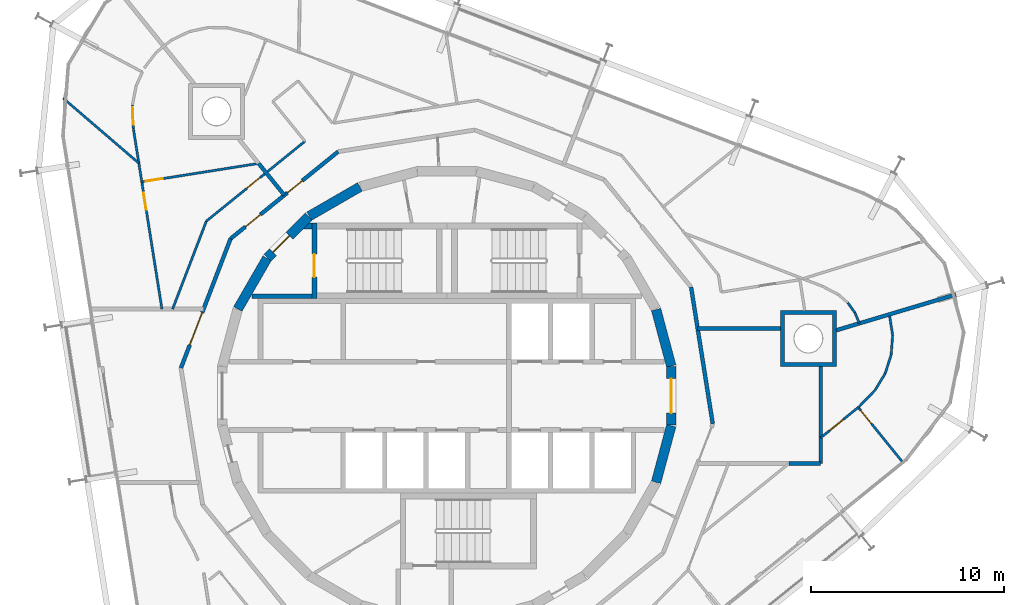
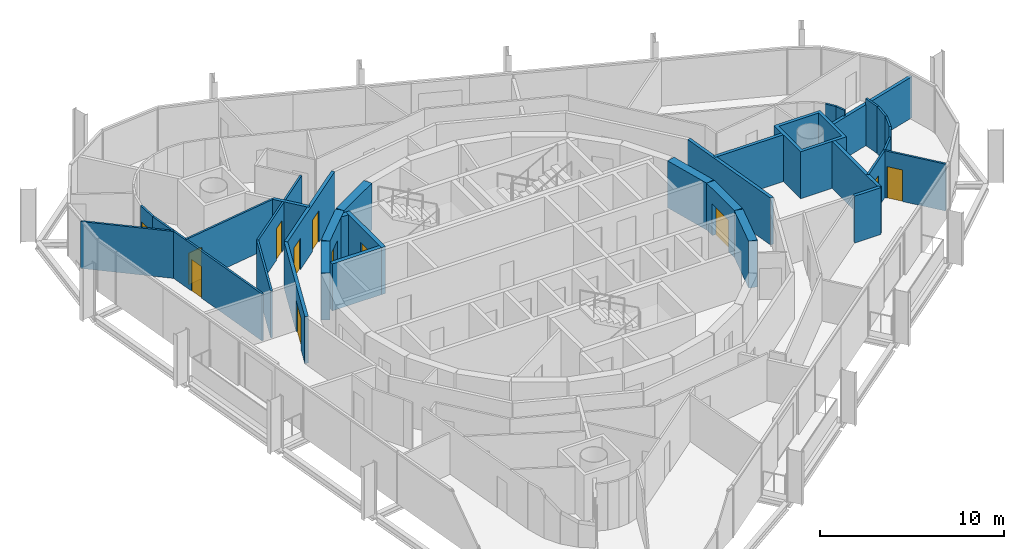
# One storey, part 14 of 17: 33 walls, 12 doors, 12 openings.
"""IFC4 building model written with IfcOpenShell, lengths in metres."""

from ifc_helpers import new_model, si_unit, direction, frame, frame_2d, origin, place, context, subcontext, project, spatial, polyline, rectangle, outline, extrude, material, layer, layer_set, type_object, element, fill, save


model = new_model("IFC4")

# Units and contexts
model_context = context("Model", 3, precision=1e-05, world=origin(), true_north=direction((0.0, 1.0)))
body_context = subcontext(model_context, "Body", "Model", "MODEL_VIEW")
ifc_project = project(units=[si_unit("LENGTHUNIT", "METRE"), si_unit("AREAUNIT", "SQUARE_METRE"), si_unit("VOLUMEUNIT", "CUBIC_METRE"), si_unit("PLANEANGLEUNIT", "RADIAN"), si_unit("MASSUNIT", "GRAM", prefix="KILO")], contexts=[model_context])

# Site, building, storey
site_placement = place(None, origin())
site = spatial("IfcSite", under=ifc_project, at=site_placement, CompositionType="ELEMENT")
building_placement = place(site_placement, origin())
building = spatial("IfcBuilding", under=site, at=building_placement, Name="Spindle Arch Residences", CompositionType="ELEMENT")
storey_placement = place(building_placement, frame((0.0, 0.0, 284.39990234375)))
storey = spatial("IfcBuildingStorey", under=building, at=storey_placement, Name="L73", CompositionType="ELEMENT", Elevation=284.39990234375)

# Wall
ifc_material_1 = material(Name="Concrete C50/60", Category="concrete")
ifc_layer_1 = layer(ifc_material_1, 0.5)
ifc_layer_set_1 = layer_set([ifc_layer_1], Name="Core outline wall 500")
wall_type_1 = type_object("IfcWallType", Name="Core outline wall 500", PredefinedType="SHEAR", material=ifc_layer_set_1)
wall_1_placement = place(storey_placement, frame((10.858154296875, -4.479248046875, 0.0), z_axis=(0.0, 0.0, 1.0), x_axis=(0.258734743916, 0.965948410781, 0.0)))
element("IfcWall", 1, at=wall_1_placement, inside=storey, type_object=wall_type_1, Name="Core outline wall 5", PredefinedType="SHEAR", context=body_context, shape_type="SweptSolid", body=[
    extrude(rectangle(XDim=3.03271484375, YDim=0.5, at=frame_2d((1.516357421875, 0.0))), origin(), (0.0, 0.0, 1.0), 3.1201171875),
])

# Wall, opening, door
wall_2_placement = place(storey_placement, frame((11.647216796875, -1.516357421875, 0.0), z_axis=(0.0, 0.0, 1.0), x_axis=(0.0, 1.0, 0.0)))
wall_2 = element("IfcWall", 2, at=wall_2_placement, inside=storey, type_object=wall_type_1, Name="Core outline wall 6", PredefinedType="SHEAR", context=body_context, shape_type="SweptSolid", body=[
    extrude(rectangle(XDim=3.03271484375, YDim=0.5, at=frame_2d((1.516357421875, 0.0))), origin(), (0.0, 0.0, 1.0), 3.1201171875),
])
opening_1_placement = place(wall_2_placement, frame((0.6162109375, 0.0, 0.0)))
opening_1 = element("IfcOpeningElement", 3, at=opening_1_placement, cuts=wall_2, Name="Opening R7C0-FE01", PredefinedType="OPENING", context=body_context, shape_type="SweptSolid", body=[
    extrude(rectangle(XDim=1.800048828125, YDim=2.10009765625, at=frame_2d((0.89990234375, 1.050048828125))), frame((0.0, 0.260009765625, 0.0), z_axis=(0.0, -1.0, 0.0), x_axis=(1.0, 0.0, 0.0)), (0.0, 0.0, 1.0), 0.52001953125),
])
ifc_material_2 = material(Name="Steel, fire-resisting door", Category="steel")
door_type_1 = type_object("IfcDoorType", Name="Fire-lift lobby door 1800x2100", OperationType="DOUBLE_DOOR_SINGLE_SWING", PredefinedType="DOOR", material=ifc_material_2)
door_1_placement = place(opening_1_placement, origin())
door_1 = element("IfcDoor", 4, at=door_1_placement, inside=storey, type_object=door_type_1, Name="Fire-lift lobby door R7C0-FE01", OperationType="DOUBLE_DOOR_SINGLE_SWING", OverallHeight=2.10009765625, OverallWidth=1.800048828125, PredefinedType="DOOR", context=body_context, shape_type="SweptSolid", body=[
    extrude(rectangle(XDim=1.800048828125, YDim=2.10009765625, at=frame_2d((0.89990234375, 1.050048828125))), frame((0.0, 0.02490234375, 0.0), z_axis=(0.0, -1.0, 0.0), x_axis=(1.0, 0.0, 0.0)), (0.0, 0.0, 1.0), 0.050048828125),
])
fill(opening_1, door_1)

# Walls
for number, where, z_axis, x_axis, name in (
    (5, (11.642822265625, 1.5498046875, 0.0), (0.0, 0.0, 1.0), (-0.258734743916, 0.965948410781, 0.0), "Core outline wall 7"),
    (6, (-4.510498046875, 10.84521484375, 0.0), (0.0, 0.0, 1.0), (-0.865975092491, -0.500087131594, 0.0), "Core outline wall 14"),
):
    element("IfcWall", number, at=place(storey_placement, frame(where, z_axis=z_axis, x_axis=x_axis)), inside=storey, type_object=wall_type_1, Name=name, PredefinedType="SHEAR", context=body_context, shape_type="SweptSolid", body=[
        extrude(rectangle(XDim=3.03271484375, YDim=0.5, at=frame_2d((1.516357421875, 0.0))), origin(), (0.0, 0.0, 1.0), 3.1201171875),
    ])

# Wall, opening, door
wall_3_placement = place(storey_placement, frame((-7.163818359375, 9.30810546875, 0.0), z_axis=(0.0, 0.0, 1.0), x_axis=(-0.707106781187, -0.707106781187, 0.0)))
wall_3 = element("IfcWall", 7, at=wall_3_placement, inside=storey, type_object=wall_type_1, Name="Core outline wall 15", PredefinedType="SHEAR", context=body_context, shape_type="SweptSolid", body=[
    extrude(rectangle(XDim=3.032470703125, YDim=0.5, at=frame_2d((1.51611328125, 0.0))), origin(), (0.0, 0.0, 1.0), 3.1201171875),
])
opening_2_placement = place(wall_3_placement, frame((1.416259765625, 0.0, 0.0)))
opening_2 = element("IfcOpeningElement", 8, at=opening_2_placement, cuts=wall_3, Name="Opening R7C0-AD02", PredefinedType="OPENING", context=body_context, shape_type="SweptSolid", body=[
    extrude(rectangle(XDim=1.199951171875, YDim=2.10009765625, at=frame_2d((0.60009765625, 1.050048828125))), frame((0.0, 0.260009765625, 0.0), z_axis=(0.0, -1.0, 0.0), x_axis=(1.0, 0.0, 0.0)), (0.0, 0.0, 1.0), 0.52001953125),
])
ifc_material_3 = material(Name="Steel, fire-resisting door", Category="steel")
door_type_2 = type_object("IfcDoorType", Name="Stair airlock door 1200x2100", OperationType="SINGLE_SWING_LEFT", PredefinedType="DOOR", material=ifc_material_3)
door_2_placement = place(opening_2_placement, origin())
door_2 = element("IfcDoor", 9, at=door_2_placement, inside=storey, type_object=door_type_2, Name="Stair airlock door R7C0-AD02", OperationType="SINGLE_SWING_RIGHT", OverallHeight=2.10009765625, OverallWidth=1.199951171875, PredefinedType="DOOR", context=body_context, shape_type="SweptSolid", body=[
    extrude(rectangle(XDim=1.199951171875, YDim=2.10009765625, at=frame_2d((0.60009765625, 1.050048828125))), frame((0.0, 0.02490234375, 0.0), z_axis=(0.0, -1.0, 0.0), x_axis=(1.0, 0.0, 0.0)), (0.0, 0.0, 1.0), 0.050048828125),
])
fill(opening_2, door_2)

# Wall
wall_4_placement = place(storey_placement, frame((-9.32861328125, 7.13671875, 0.0), z_axis=(0.0, 0.0, 1.0), x_axis=(-0.500087131594, -0.865975092491, 0.0)))
element("IfcWall", 10, at=wall_4_placement, inside=storey, type_object=wall_type_1, Name="Core outline wall 16", PredefinedType="SHEAR", context=body_context, shape_type="SweptSolid", body=[
    extrude(rectangle(XDim=3.03271484375, YDim=0.5, at=frame_2d((1.516357421875, 0.0))), origin(), (0.0, 0.0, 1.0), 3.1201171875),
])

# Wall, openings, doors
ifc_material_4 = material(Name="Calcium silicate block, plastered")
ifc_layer_2 = layer(ifc_material_4, 0.199951171875)
ifc_layer_set_2 = layer_set([ifc_layer_2], Name="Corridor wall 200")
wall_type_2 = type_object("IfcWallType", Name="Corridor wall 200", PredefinedType="STANDARD", material=ifc_layer_set_2)
wall_5_placement = place(storey_placement, frame((-5.642578125, 12.67333984375, 0.0), z_axis=(0.0, 0.0, 1.0), x_axis=(-0.777160148113, -0.629302871585, 0.0)))
wall_5 = element("IfcWall", 11, at=wall_5_placement, inside=storey, type_object=wall_type_2, Name="Corridor wall R7C0-W011", PredefinedType="STANDARD", context=body_context, shape_type="SweptSolid", body=[
    extrude(rectangle(XDim=7.180908203125, YDim=0.199951171875, at=frame_2d((3.59033203125, 0.0))), origin(), (0.0, 0.0, 1.0), 3.1201171875),
])
opening_3_placement = place(wall_5_placement, frame((2.390380859375, 0.0, 0.0)))
opening_3 = element("IfcOpeningElement", 12, at=opening_3_placement, cuts=wall_5, Name="Opening R7C0-FD02", PredefinedType="OPENING", context=body_context, shape_type="SweptSolid", body=[
    extrude(rectangle(XDim=1.0, YDim=2.10009765625, at=frame_2d((0.5, 1.050048828125))), frame((0.0, 0.10986328125, 0.0), z_axis=(0.0, -1.0, 0.0), x_axis=(1.0, 0.0, 0.0)), (0.0, 0.0, 1.0), 0.219970703125),
])
opening_4_placement = place(wall_5_placement, frame((5.1904296875, 0.0, 0.0)))
opening_4 = element("IfcOpeningElement", 13, at=opening_4_placement, cuts=wall_5, Name="Opening R7C0-FD03", PredefinedType="OPENING", context=body_context, shape_type="SweptSolid", body=[
    extrude(rectangle(XDim=1.0, YDim=2.10009765625, at=frame_2d((0.5, 1.050048828125))), frame((0.0, 0.10986328125, 0.0), z_axis=(0.0, -1.0, 0.0), x_axis=(1.0, 0.0, 0.0)), (0.0, 0.0, 1.0), 0.219970703125),
])
ifc_material_5 = material(Name="Timber, fire-resisting door set", Category="wood")
door_type_3 = type_object("IfcDoorType", Name="Flat entrance door 1000x2100", OperationType="NOTDEFINED", PredefinedType="DOOR", material=ifc_material_5)
door_3_placement = place(opening_3_placement, origin())
door_3 = element("IfcDoor", 14, at=door_3_placement, inside=storey, type_object=door_type_3, Name="Flat entrance door R7C0-FD02", OperationType="SINGLE_SWING_RIGHT", OverallHeight=2.10009765625, OverallWidth=1.0, PredefinedType="DOOR", context=body_context, shape_type="SweptSolid", body=[
    extrude(rectangle(XDim=1.0, YDim=2.10009765625, at=frame_2d((0.5, 1.050048828125))), frame((0.0, 0.02490234375, 0.0), z_axis=(0.0, -1.0, 0.0), x_axis=(1.0, 0.0, 0.0)), (0.0, 0.0, 1.0), 0.050048828125),
])
fill(opening_3, door_3)
door_4_placement = place(opening_4_placement, origin())
door_4 = element("IfcDoor", 15, at=door_4_placement, inside=storey, type_object=door_type_3, Name="Flat entrance door R7C0-FD03", OperationType="SINGLE_SWING_LEFT", OverallHeight=2.10009765625, OverallWidth=1.0, PredefinedType="DOOR", context=body_context, shape_type="SweptSolid", body=[
    extrude(rectangle(XDim=1.0, YDim=2.10009765625, at=frame_2d((0.5, 1.050048828125))), frame((0.0, 0.02490234375, 0.0), z_axis=(0.0, -1.0, 0.0), x_axis=(1.0, 0.0, 0.0)), (0.0, 0.0, 1.0), 0.050048828125),
])
fill(opening_4, door_4)

# Walls
ifc_material_6 = material(Name="Calcium silicate block, plastered")
ifc_layer_3 = layer(ifc_material_6, 0.199951171875)
ifc_layer_set_3 = layer_set([ifc_layer_3], Name="Fire-lift lobby bay wall 200")
wall_type_3 = type_object("IfcWallType", Name="Fire-lift lobby bay wall 200", PredefinedType="STANDARD", material=ifc_layer_set_3)
wall_6_placement = place(storey_placement, frame((13.796630859375, -1.4501953125, 0.0), z_axis=(0.0, 0.0, 1.0), x_axis=(-0.156421704315, 0.987690361611, 0.0)))
element("IfcWall", 16, at=wall_6_placement, inside=storey, type_object=wall_type_3, Name="Fire-lift lobby bay wall R7C0-W005", PredefinedType="STANDARD", context=body_context, shape_type="SweptSolid", body=[
    extrude(rectangle(XDim=7.18115234375, YDim=0.199951171875, at=frame_2d((3.590576171875, 0.0))), origin(), (0.0, 0.0, 1.0), 3.1201171875),
])
wall_7_placement = place(storey_placement, frame((17.309326171875, 3.5, 0.0), z_axis=(0.0, 0.0, 1.0), x_axis=(-1.0, 0.0, 0.0)))
element("IfcWall", 17, at=wall_7_placement, inside=storey, type_object=wall_type_3, Name="Fire-lift lobby bay wall R7C0-W018", PredefinedType="STANDARD", context=body_context, shape_type="SweptSolid", body=[
    extrude(rectangle(XDim=4.296630859375, YDim=0.199951171875, at=frame_2d((2.1484375, 0.0))), origin(), (0.0, 0.0, 1.0), 3.1201171875),
])
wall_8_placement = place(storey_placement, frame((19.39990234375, -3.5, 0.0), z_axis=(0.0, 0.0, 1.0), x_axis=(0.0, 1.0, 0.0)))
element("IfcWall", 18, at=wall_8_placement, inside=storey, type_object=wall_type_3, Name="Fire-lift lobby bay wall R7C0-W020", PredefinedType="STANDARD", context=body_context, shape_type="SweptSolid", body=[
    extrude(rectangle(XDim=5.021240234375, YDim=0.199951171875, at=frame_2d((2.5107421875, 0.0))), origin(), (0.0, 0.0, 1.0), 3.1201171875),
])
wall_9_placement = place(storey_placement, frame((17.759765625, -3.5, 0.0), z_axis=(0.0, 0.0, 1.0), x_axis=(1.0, 0.0, 0.0)))
element("IfcWall", 19, at=wall_9_placement, inside=storey, type_object=wall_type_3, Name="Fire-lift lobby bay wall R7C0-W021", PredefinedType="STANDARD", context=body_context, shape_type="SweptSolid", body=[
    extrude(rectangle(XDim=1.64013671875, YDim=0.199951171875, at=frame_2d((0.820068359375, 0.0))), origin(), (0.0, 0.0, 1.0), 3.1201171875),
])
ifc_material_7 = material(Name="Plasterboard on steel studs", Category="steel")
ifc_layer_4 = layer(ifc_material_7, 0.1201171875)
ifc_layer_set_4 = layer_set([ifc_layer_4], Name="Flat partition 120")
wall_type_4 = type_object("IfcWallType", Name="Flat partition 120", PredefinedType="PARTITIONING", material=ifc_layer_set_4)
wall_10_placement = place(storey_placement, frame((20.802978515625, 4.8330078125, 0.0), z_axis=(0.0, 0.0, 1.0), x_axis=(0.583322588112, -0.812240579014, 0.0)))
element("IfcWall", 20, at=wall_10_placement, inside=storey, type_object=wall_type_4, Name="Flat partition R7C0-W039", PredefinedType="PARTITIONING", context=body_context, shape_type="SweptSolid", body=[
    extrude(rectangle(XDim=0.64208984375, YDim=0.1201171875, at=frame_2d((0.321044921875, 0.0))), origin(), (0.0, 0.0, 1.0), 3.1201171875),
])
wall_11_placement = place(storey_placement, frame((21.177490234375, 4.3115234375, 0.0), z_axis=(0.0, 0.0, 1.0), x_axis=(0.379673715705, -0.925120462212, 0.0)))
element("IfcWall", 21, at=wall_11_placement, inside=storey, type_object=wall_type_4, Name="Flat partition R7C0-W040", PredefinedType="PARTITIONING", context=body_context, shape_type="SweptSolid", body=[
    extrude(rectangle(XDim=0.593505859375, YDim=0.1201171875, at=frame_2d((0.296875, 0.0))), origin(), (0.0, 0.0, 1.0), 3.1201171875),
])

# Wall, opening, door
wall_12_placement = place(storey_placement, frame((-7.363037109375, 13.210205078125, 0.0), z_axis=(0.0, 0.0, 1.0), x_axis=(-0.777139504663, -0.629328364443, 0.0)))
wall_12 = element("IfcWall", 22, at=wall_12_placement, inside=storey, type_object=wall_type_4, Name="Flat partition R7C0-W047", PredefinedType="PARTITIONING", context=body_context, shape_type="SweptSolid", body=[
    extrude(rectangle(XDim=6.583740234375, YDim=0.1201171875, at=frame_2d((3.2919921875, 0.0))), origin(), (0.0, 0.0, 1.0), 3.1201171875),
])
opening_5_placement = place(wall_12_placement, frame((2.9912109375, 0.0, 0.0)))
opening_5 = element("IfcOpeningElement", 23, at=opening_5_placement, cuts=wall_12, Name="Opening R7C0-ID09", PredefinedType="OPENING", context=body_context, shape_type="SweptSolid", body=[
    extrude(rectangle(XDim=0.89990234375, YDim=2.10009765625, at=frame_2d((0.449951171875, 1.050048828125))), frame((0.0, 0.070068359375, 0.0), z_axis=(0.0, -1.0, 0.0), x_axis=(1.0, 0.0, 0.0)), (0.0, 0.0, 1.0), 0.14013671875),
])
ifc_material_8 = material(Name="Timber door set", Category="wood")
door_type_4 = type_object("IfcDoorType", Name="Room door 900x2100", OperationType="NOTDEFINED", PredefinedType="DOOR", material=ifc_material_8)
door_5_placement = place(opening_5_placement, origin())
door_5 = element("IfcDoor", 24, at=door_5_placement, inside=storey, type_object=door_type_4, Name="Room door R7C0-ID09", OperationType="SINGLE_SWING_LEFT", OverallHeight=2.10009765625, OverallWidth=0.89990234375, PredefinedType="DOOR", context=body_context, shape_type="SweptSolid", body=[
    extrude(rectangle(XDim=0.89990234375, YDim=2.10009765625, at=frame_2d((0.449951171875, 1.050048828125))), frame((0.0, 0.02490234375, 0.0), z_axis=(0.0, -1.0, 0.0), x_axis=(1.0, 0.0, 0.0)), (0.0, 0.0, 1.0), 0.050048828125),
])
fill(opening_5, door_5)

# Wall
wall_13_placement = place(storey_placement, frame((-12.4794921875, 9.06689453125, 0.0), z_axis=(0.0, 0.0, 1.0), x_axis=(-0.358387060848, -0.933573090131, 0.0)))
element("IfcWall", 25, at=wall_13_placement, inside=storey, type_object=wall_type_4, Name="Flat partition R7C0-W058", PredefinedType="PARTITIONING", context=body_context, shape_type="SweptSolid", body=[
    extrude(rectangle(XDim=4.891845703125, YDim=0.1201171875, at=frame_2d((2.44580078125, 0.0))), origin(), (0.0, 0.0, 1.0), 3.1201171875),
])

# Wall, opening, door
wall_14_placement = place(storey_placement, frame((-16.31591796875, 15.091064453125, 0.0), z_axis=(0.0, 0.0, 1.0), x_axis=(0.040786423131, -0.999167887639, 0.0)))
wall_14 = element("IfcWall", 26, at=wall_14_placement, inside=storey, type_object=wall_type_4, Name="Flat partition R7C0-W063", PredefinedType="PARTITIONING", context=body_context, shape_type="SweptSolid", body=[
    extrude(rectangle(XDim=1.22705078125, YDim=0.1201171875, at=frame_2d((0.613525390625, 0.0))), origin(), (0.0, 0.0, 1.0), 3.1201171875),
])
opening_6_placement = place(wall_14_placement, frame((0.1201171875, 0.0, 0.0)))
opening_6 = element("IfcOpeningElement", 27, at=opening_6_placement, cuts=wall_14, Name="Opening R7C0-ID11", PredefinedType="OPENING", context=body_context, shape_type="SweptSolid", body=[
    extrude(rectangle(XDim=0.89990234375, YDim=2.10009765625, at=frame_2d((0.449951171875, 1.050048828125))), frame((0.0, 0.070068359375, 0.0), z_axis=(0.0, -1.0, 0.0), x_axis=(1.0, 0.0, 0.0)), (0.0, 0.0, 1.0), 0.14013671875),
])
door_6_placement = place(opening_6_placement, origin())
door_6 = element("IfcDoor", 28, at=door_6_placement, inside=storey, type_object=door_type_4, Name="Room door R7C0-ID11", OperationType="SINGLE_SWING_RIGHT", OverallHeight=2.10009765625, OverallWidth=0.89990234375, PredefinedType="DOOR", context=body_context, shape_type="SweptSolid", body=[
    extrude(rectangle(XDim=0.89990234375, YDim=2.10009765625, at=frame_2d((0.449951171875, 1.050048828125))), frame((0.0, 0.02490234375, 0.0), z_axis=(0.0, -1.0, 0.0), x_axis=(1.0, 0.0, 0.0)), (0.0, 0.0, 1.0), 0.050048828125),
])
fill(opening_6, door_6)

wall_15_placement = place(storey_placement, frame((-16.265869140625, 13.864990234375, 0.0), z_axis=(0.0, 0.0, 1.0), x_axis=(0.156422690833, -0.987690205374, 0.0)))
wall_15 = element("IfcWall", 29, at=wall_15_placement, inside=storey, type_object=wall_type_4, Name="Flat partition R7C0-W064", PredefinedType="PARTITIONING", context=body_context, shape_type="SweptSolid", body=[
    extrude(rectangle(XDim=9.481689453125, YDim=0.1201171875, at=frame_2d((4.74072265625, 0.0))), origin(), (0.0, 0.0, 1.0), 3.1201171875),
])
opening_7_placement = place(wall_15_placement, frame((3.357177734375, 0.0, 0.0)))
opening_7 = element("IfcOpeningElement", 30, at=opening_7_placement, cuts=wall_15, Name="Opening R7C0-ID12", PredefinedType="OPENING", context=body_context, shape_type="SweptSolid", body=[
    extrude(rectangle(XDim=0.89990234375, YDim=2.10009765625, at=frame_2d((0.449951171875, 1.050048828125))), frame((0.0, 0.070068359375, 0.0), z_axis=(0.0, -1.0, 0.0), x_axis=(1.0, 0.0, 0.0)), (0.0, 0.0, 1.0), 0.14013671875),
])
door_7_placement = place(opening_7_placement, origin())
door_7 = element("IfcDoor", 31, at=door_7_placement, inside=storey, type_object=door_type_4, Name="Room door R7C0-ID12", OperationType="SINGLE_SWING_LEFT", OverallHeight=2.10009765625, OverallWidth=0.89990234375, PredefinedType="DOOR", context=body_context, shape_type="SweptSolid", body=[
    extrude(rectangle(XDim=0.89990234375, YDim=2.10009765625, at=frame_2d((0.449951171875, 1.050048828125))), frame((0.0, 0.02490234375, 0.0), z_axis=(0.0, -1.0, 0.0), x_axis=(1.0, 0.0, 0.0)), (0.0, 0.0, 1.0), 0.050048828125),
])
fill(opening_7, door_7)

wall_16_placement = place(storey_placement, frame((-15.828125, 11.102294921875, 0.0), z_axis=(0.0, 0.0, 1.0), x_axis=(0.98768671358, 0.156444737262, 0.0)))
wall_16 = element("IfcWall", 32, at=wall_16_placement, inside=storey, type_object=wall_type_4, Name="Flat partition R7C0-W065", PredefinedType="PARTITIONING", context=body_context, shape_type="SweptSolid", body=[
    extrude(rectangle(XDim=6.135986328125, YDim=0.1201171875, at=frame_2d((3.06787109375, 0.0))), origin(), (0.0, 0.0, 1.0), 3.1201171875),
])
opening_8_placement = place(wall_16_placement, frame((0.199951171875, 0.0, 0.0)))
opening_8 = element("IfcOpeningElement", 33, at=opening_8_placement, cuts=wall_16, Name="Opening R7C0-ID10", PredefinedType="OPENING", context=body_context, shape_type="SweptSolid", body=[
    extrude(rectangle(XDim=0.89990234375, YDim=2.10009765625, at=frame_2d((0.449951171875, 1.050048828125))), frame((0.0, 0.070068359375, 0.0), z_axis=(0.0, -1.0, 0.0), x_axis=(1.0, 0.0, 0.0)), (0.0, 0.0, 1.0), 0.14013671875),
])
door_8_placement = place(opening_8_placement, origin())
door_8 = element("IfcDoor", 34, at=door_8_placement, inside=storey, type_object=door_type_4, Name="Room door R7C0-ID10", OperationType="SINGLE_SWING_LEFT", OverallHeight=2.10009765625, OverallWidth=0.89990234375, PredefinedType="DOOR", context=body_context, shape_type="SweptSolid", body=[
    extrude(rectangle(XDim=0.89990234375, YDim=2.10009765625, at=frame_2d((0.449951171875, 1.050048828125))), frame((0.0, 0.02490234375, 0.0), z_axis=(0.0, -1.0, 0.0), x_axis=(1.0, 0.0, 0.0)), (0.0, 0.0, 1.0), 0.050048828125),
])
fill(opening_8, door_8)

# Walls
wall_17_placement = place(storey_placement, frame((-19.9130859375, 15.450927734375, 0.0), z_axis=(0.0, 0.0, 1.0), x_axis=(0.758627615547, -0.651524474544, 0.0)))
element("IfcWall", 35, at=wall_17_placement, inside=storey, type_object=wall_type_4, Name="Flat partition R7C0-W066", PredefinedType="PARTITIONING", context=body_context, shape_type="SweptSolid", body=[
    extrude(rectangle(XDim=5.181396484375, YDim=0.1201171875, at=frame_2d((2.5908203125, 0.0))), origin(), (0.0, 0.0, 1.0), 3.1201171875),
])
wall_18_placement = place(storey_placement, frame((22.972412109375, 4.15283203125, 0.0), z_axis=(0.0, 0.0, 1.0), x_axis=(0.156209385929, -0.987723963336, 0.0)))
element("IfcWall", 36, at=wall_18_placement, inside=storey, type_object=wall_type_4, Name="Flat partition R7C0-W094", PredefinedType="PARTITIONING", context=body_context, shape_type="SweptSolid", body=[
    extrude(rectangle(XDim=1.015869140625, YDim=0.1201171875, at=frame_2d((0.5078125, 0.0))), origin(), (0.0, 0.0, 1.0), 3.1201171875),
])
wall_19_placement = place(storey_placement, frame((23.131103515625, 3.1494140625, 0.0), z_axis=(0.0, 0.0, 1.0), x_axis=(-0.075446997935, -0.99714981347, 0.0)))
element("IfcWall", 37, at=wall_19_placement, inside=storey, type_object=wall_type_4, Name="Flat partition R7C0-W095", PredefinedType="PARTITIONING", context=body_context, shape_type="SweptSolid", body=[
    extrude(rectangle(XDim=1.01611328125, YDim=0.1201171875, at=frame_2d((0.508056640625, 0.0))), origin(), (0.0, 0.0, 1.0), 3.1201171875),
])
wall_20_placement = place(storey_placement, frame((23.054443359375, 2.13623046875, 0.0), z_axis=(0.0, 0.0, 1.0), x_axis=(-0.303511129679, -0.952827893253, 0.0)))
element("IfcWall", 38, at=wall_20_placement, inside=storey, type_object=wall_type_4, Name="Flat partition R7C0-W096", PredefinedType="PARTITIONING", context=body_context, shape_type="SweptSolid", body=[
    extrude(rectangle(XDim=1.015869140625, YDim=0.1201171875, at=frame_2d((0.5078125, 0.0))), origin(), (0.0, 0.0, 1.0), 3.1201171875),
])
wall_21_placement = place(storey_placement, frame((22.74609375, 1.168212890625, 0.0), z_axis=(0.0, 0.0, 1.0), x_axis=(-0.515096534995, -0.857132171626, 0.0)))
element("IfcWall", 39, at=wall_21_placement, inside=storey, type_object=wall_type_4, Name="Flat partition R7C0-W097", PredefinedType="PARTITIONING", context=body_context, shape_type="SweptSolid", body=[
    extrude(rectangle(XDim=1.015625, YDim=0.1201171875, at=frame_2d((0.5078125, 0.0))), origin(), (0.0, 0.0, 1.0), 3.1201171875),
])
wall_22_placement = place(storey_placement, frame((22.222900390625, 0.297607421875, 0.0), z_axis=(0.0, 0.0, 1.0), x_axis=(-0.69880109182, -0.715316037896, 0.0)))
element("IfcWall", 40, at=wall_22_placement, inside=storey, type_object=wall_type_4, Name="Flat partition R7C0-W098", PredefinedType="PARTITIONING", context=body_context, shape_type="SweptSolid", body=[
    extrude(rectangle(XDim=1.22705078125, YDim=0.1201171875, at=frame_2d((0.613525390625, 0.0))), origin(), (0.0, 0.0, 1.0), 3.1201171875),
])

# Wall, opening, door
wall_23_placement = place(storey_placement, frame((21.346923828125, -0.59521484375, 0.0), z_axis=(0.0, 0.0, 1.0), x_axis=(0.62934843781, -0.7771232488, 0.0)))
wall_23 = element("IfcWall", 41, at=wall_23_placement, inside=storey, type_object=wall_type_4, Name="Flat partition R7C0-W099", PredefinedType="PARTITIONING", context=body_context, shape_type="SweptSolid", body=[
    extrude(rectangle(XDim=3.599853515625, YDim=0.1201171875, at=frame_2d((1.7998046875, 0.0))), origin(), (0.0, 0.0, 1.0), 3.1201171875),
])
opening_9_placement = place(wall_23_placement, frame((0.199951171875, 0.0, 0.0)))
opening_9 = element("IfcOpeningElement", 42, at=opening_9_placement, cuts=wall_23, Name="Opening R7C0-ID23", PredefinedType="OPENING", context=body_context, shape_type="SweptSolid", body=[
    extrude(rectangle(XDim=0.89990234375, YDim=2.10009765625, at=frame_2d((0.449951171875, 1.050048828125))), frame((0.0, 0.070068359375, 0.0), z_axis=(0.0, -1.0, 0.0), x_axis=(1.0, 0.0, 0.0)), (0.0, 0.0, 1.0), 0.14013671875),
])
door_9_placement = place(opening_9_placement, origin())
door_9 = element("IfcDoor", 43, at=door_9_placement, inside=storey, type_object=door_type_4, Name="Room door R7C0-ID23", OperationType="SINGLE_SWING_RIGHT", OverallHeight=2.10009765625, OverallWidth=0.89990234375, PredefinedType="DOOR", context=body_context, shape_type="SweptSolid", body=[
    extrude(rectangle(XDim=0.89990234375, YDim=2.10009765625, at=frame_2d((0.449951171875, 1.050048828125))), frame((0.0, 0.02490234375, 0.0), z_axis=(0.0, -1.0, 0.0), x_axis=(1.0, 0.0, 0.0)), (0.0, 0.0, 1.0), 0.050048828125),
])
fill(opening_9, door_9)

wall_24_placement = place(storey_placement, frame((19.39990234375, -2.171875, 0.0), z_axis=(0.0, 0.0, 1.0), x_axis=(0.777147279935, 0.629318762862, 0.0)))
wall_24 = element("IfcWall", 44, at=wall_24_placement, inside=storey, type_object=wall_type_4, Name="Flat partition R7C0-W100", PredefinedType="PARTITIONING", context=body_context, shape_type="SweptSolid", body=[
    extrude(rectangle(XDim=2.50537109375, YDim=0.1201171875, at=frame_2d((1.252685546875, 0.0))), origin(), (0.0, 0.0, 1.0), 3.1201171875),
])
opening_10_placement = place(wall_24_placement, frame((0.60009765625, 0.0, 0.0)))
opening_10 = element("IfcOpeningElement", 45, at=opening_10_placement, cuts=wall_24, Name="Opening R7C0-ID24", PredefinedType="OPENING", context=body_context, shape_type="SweptSolid", body=[
    extrude(rectangle(XDim=0.89990234375, YDim=2.10009765625, at=frame_2d((0.449951171875, 1.050048828125))), frame((0.0, 0.070068359375, 0.0), z_axis=(0.0, -1.0, 0.0), x_axis=(1.0, 0.0, 0.0)), (0.0, 0.0, 1.0), 0.14013671875),
])
door_10_placement = place(opening_10_placement, origin())
door_10 = element("IfcDoor", 46, at=door_10_placement, inside=storey, type_object=door_type_4, Name="Room door R7C0-ID24", OperationType="SINGLE_SWING_LEFT", OverallHeight=2.10009765625, OverallWidth=0.89990234375, PredefinedType="DOOR", context=body_context, shape_type="SweptSolid", body=[
    extrude(rectangle(XDim=0.89990234375, YDim=2.10009765625, at=frame_2d((0.449951171875, 1.050048828125))), frame((0.0, 0.02490234375, 0.0), z_axis=(0.0, -1.0, 0.0), x_axis=(1.0, 0.0, 0.0)), (0.0, 0.0, 1.0), 0.050048828125),
])
fill(opening_10, door_10)

# Walls
ifc_material_9 = material(Name="Calcium silicate block, plastered")
ifc_layer_5 = layer(ifc_material_9, 0.199951171875)
ifc_layer_set_5 = layer_set([ifc_layer_5], Name="Flat party wall 200")
wall_type_5 = type_object("IfcWallType", Name="Flat party wall 200", PredefinedType="STANDARD", material=ifc_layer_set_5)
wall_25_placement = place(storey_placement, frame((-9.767578125, 12.062255859375, 0.0), z_axis=(0.0, 0.0, 1.0), x_axis=(0.629274383598, -0.777183215302, 0.0)))
element("IfcWall", 47, at=wall_25_placement, inside=storey, type_object=wall_type_5, Name="Flat party wall R7C0-W024", PredefinedType="STANDARD", context=body_context, shape_type="SweptSolid", body=[
    extrude(rectangle(XDim=2.12109375, YDim=0.199951171875, at=frame_2d((1.060546875, 0.0))), origin(), (0.0, 0.0, 1.0), 3.1201171875),
])
ifc_material_10 = material(Name="Calcium silicate block, plastered")
ifc_layer_6 = layer(ifc_material_10, 0.199951171875)
ifc_layer_set_6 = layer_set([ifc_layer_6], Name="Flat party wall 200 under beam 2730")
wall_type_6 = type_object("IfcWallType", Name="Flat party wall 200 under beam 2730", PredefinedType="STANDARD", material=ifc_layer_set_6)
wall_26_placement = place(storey_placement, frame((20.20947265625, 3.4052734375, 0.0), z_axis=(0.0, 0.0, 1.0), x_axis=(0.957991224208, 0.286797514529, 0.0)))
element("IfcWall", 48, at=wall_26_placement, inside=storey, type_object=wall_type_6, Name="Flat party wall R7C0-W023", PredefinedType="STANDARD", context=body_context, shape_type="SweptSolid", body=[
    extrude(rectangle(XDim=6.471435546875, YDim=0.199951171875, at=frame_2d((3.23583984375, 0.0))), origin(), (0.0, 0.0, 1.0), 2.72998046875),
])

# Wall, opening, door
ifc_material_11 = material(Name="Calcium silicate block, plastered")
ifc_layer_7 = layer(ifc_material_11, 0.199951171875)
ifc_layer_set_7 = layer_set([ifc_layer_7], Name="Lift lobby bay wall 200")
wall_type_7 = type_object("IfcWallType", Name="Lift lobby bay wall 200", PredefinedType="STANDARD", material=ifc_layer_set_7)
wall_27_placement = place(storey_placement, frame((-11.223388671875, 8.154296875, 0.0), z_axis=(0.0, 0.0, 1.0), x_axis=(-0.358341090983, -0.93359073609, 0.0)))
wall_27 = element("IfcWall", 49, at=wall_27_placement, inside=storey, type_object=wall_type_7, Name="Lift lobby bay wall R7C0-W009", PredefinedType="STANDARD", context=body_context, shape_type="SweptSolid", body=[
    extrude(rectangle(XDim=7.180908203125, YDim=0.199951171875, at=frame_2d((3.59033203125, 0.0))), origin(), (0.0, 0.0, 1.0), 3.1201171875),
])
opening_11_placement = place(wall_27_placement, frame((4.1142578125, 0.0, 0.0)))
opening_11 = element("IfcOpeningElement", 50, at=opening_11_placement, cuts=wall_27, Name="Opening R7C0-LB01", PredefinedType="OPENING", context=body_context, shape_type="SweptSolid", body=[
    extrude(rectangle(XDim=1.800048828125, YDim=2.10009765625, at=frame_2d((0.89990234375, 1.050048828125))), frame((0.0, 0.10986328125, 0.0), z_axis=(0.0, -1.0, 0.0), x_axis=(1.0, 0.0, 0.0)), (0.0, 0.0, 1.0), 0.219970703125),
])
ifc_material_12 = material(Name="Steel, fire-resisting door", Category="steel")
door_type_5 = type_object("IfcDoorType", Name="Lift lobby bay door 1800x2100", OperationType="NOTDEFINED", PredefinedType="DOOR", material=ifc_material_12)
door_11_placement = place(opening_11_placement, origin())
door_11 = element("IfcDoor", 51, at=door_11_placement, inside=storey, type_object=door_type_5, Name="Lift lobby bay door R7C0-LB01", OperationType="DOUBLE_DOOR_SINGLE_SWING", OverallHeight=2.10009765625, OverallWidth=1.800048828125, PredefinedType="DOOR", context=body_context, shape_type="SweptSolid", body=[
    extrude(rectangle(XDim=1.800048828125, YDim=2.10009765625, at=frame_2d((0.89990234375, 1.050048828125))), frame((0.0, 0.02490234375, 0.0), z_axis=(0.0, -1.0, 0.0), x_axis=(1.0, 0.0, 0.0)), (0.0, 0.0, 1.0), 0.050048828125),
])
fill(opening_11, door_11)

# Walls
ifc_material_13 = material(Name="Calcium silicate block, plastered")
ifc_layer_8 = layer(ifc_material_13, 0.199951171875)
ifc_layer_set_8 = layer_set([ifc_layer_8], Name="Mega-column casing wall 200")
wall_type_8 = type_object("IfcWallType", Name="Mega-column casing wall 200", PredefinedType="STANDARD", material=ifc_layer_set_8)
wall_28_placement = place(storey_placement, origin())
element("IfcWall", 52, at=wall_28_placement, inside=storey, type_object=wall_type_8, Name="Mega-column casing wall R7C0-WC01", PredefinedType="STANDARD", context=body_context, shape_type="SweptSolid", body=[
    extrude(outline(polyline([(20.20947265625, 4.421142578125), (20.20947265625, 1.521240234375), (17.309326171875, 1.521240234375), (17.309326171875, 4.421142578125), (20.20947265625, 4.421142578125)]), holes=[polyline([(17.509521484375, 1.72119140625), (20.009521484375, 1.72119140625), (20.009521484375, 4.22119140625), (17.509521484375, 4.22119140625), (17.509521484375, 1.72119140625)])]), origin(), (0.0, 0.0, 1.0), 3.1201171875),
])
ifc_material_14 = material(Name="Concrete C40/50", Category="concrete")
ifc_layer_9 = layer(ifc_material_14, 0.25)
ifc_layer_set_9 = layer_set([ifc_layer_9], Name="Stair airlock wall 250")
wall_type_9 = type_object("IfcWallType", Name="Stair airlock wall 250", PredefinedType="SHEAR", material=ifc_layer_set_9)
wall_29_placement = place(storey_placement, frame((-7.0, 5.175048828125, 0.0), z_axis=(0.0, 0.0, 1.0), x_axis=(-1.0, 0.0, 0.0)))
element("IfcWall", 53, at=wall_29_placement, inside=storey, type_object=wall_type_9, Name="Stair ST-2 airlock wall S", PredefinedType="SHEAR", context=body_context, shape_type="SweptSolid", body=[
    extrude(rectangle(XDim=3.10009765625, YDim=0.25, at=frame_2d((1.550048828125, 0.0))), origin(), (0.0, 0.0, 1.0), 3.1201171875),
])
ifc_material_15 = material(Name="Concrete C40/50", Category="concrete")
wall_type_10 = type_object("IfcWallType", Name="Stair airlock wall profile", PredefinedType="SHEAR", material=ifc_material_15)
wall_30_placement = place(storey_placement, origin())
element("IfcWall", 54, at=wall_30_placement, inside=storey, type_object=wall_type_10, Name="Stair ST-2 airlock wall N", PredefinedType="SHEAR", context=body_context, shape_type="SweptSolid", body=[
    extrude(outline(polyline([(-7.148193359375, 8.969970703125), (-7.0, 8.969970703125), (-7.0, 8.669921875), (-7.4482421875, 8.669921875), (-7.148193359375, 8.969970703125)])), origin(), (0.0, 0.0, 1.0), 3.1201171875),
])

# Wall, opening, door
ifc_material_16 = material(Name="Concrete C50/60", Category="concrete")
ifc_layer_10 = layer(ifc_material_16, 0.25)
ifc_layer_set_10 = layer_set([ifc_layer_10], Name="Stair enclosure wall 250")
wall_type_11 = type_object("IfcWallType", Name="Stair enclosure wall 250", PredefinedType="SHEAR", material=ifc_layer_set_10)
wall_31_placement = place(storey_placement, frame((-6.875, 8.969970703125, 0.0), z_axis=(0.0, 0.0, 1.0), x_axis=(0.0, -1.0, 0.0)))
wall_31 = element("IfcWall", 55, at=wall_31_placement, inside=storey, type_object=wall_type_11, Name="Stair ST-2 door wall", PredefinedType="SHEAR", context=body_context, shape_type="SweptSolid", body=[
    extrude(rectangle(XDim=3.919921875, YDim=0.25, at=frame_2d((1.9599609375, 0.0))), origin(), (0.0, 0.0, 1.0), 3.1201171875),
])
opening_12_placement = place(wall_31_placement, frame((1.610107421875, 0.0, 0.0)))
opening_12 = element("IfcOpeningElement", 56, at=opening_12_placement, cuts=wall_31, Name="Opening R7C0-SD02", PredefinedType="OPENING", context=body_context, shape_type="SweptSolid", body=[
    extrude(rectangle(XDim=1.199951171875, YDim=2.10009765625, at=frame_2d((0.60009765625, 1.050048828125))), frame((0.0, 0.135009765625, 0.0), z_axis=(0.0, -1.0, 0.0), x_axis=(1.0, 0.0, 0.0)), (0.0, 0.0, 1.0), 0.27001953125),
])
ifc_material_17 = material(Name="Steel, fire-resisting door", Category="steel")
door_type_6 = type_object("IfcDoorType", Name="Stair door 1200x2100", OperationType="SINGLE_SWING_RIGHT", PredefinedType="DOOR", material=ifc_material_17)
door_12_placement = place(opening_12_placement, origin())
door_12 = element("IfcDoor", 57, at=door_12_placement, inside=storey, type_object=door_type_6, Name="Stair door R7C0-SD02", OperationType="SINGLE_SWING_LEFT", OverallHeight=2.10009765625, OverallWidth=1.199951171875, PredefinedType="DOOR", context=body_context, shape_type="SweptSolid", body=[
    extrude(rectangle(XDim=1.199951171875, YDim=2.10009765625, at=frame_2d((0.60009765625, 1.050048828125))), frame((0.0, 0.02490234375, 0.0), z_axis=(0.0, -1.0, 0.0), x_axis=(1.0, 0.0, 0.0)), (0.0, 0.0, 1.0), 0.050048828125),
])
fill(opening_12, door_12)

save(model, "model.ifc")
